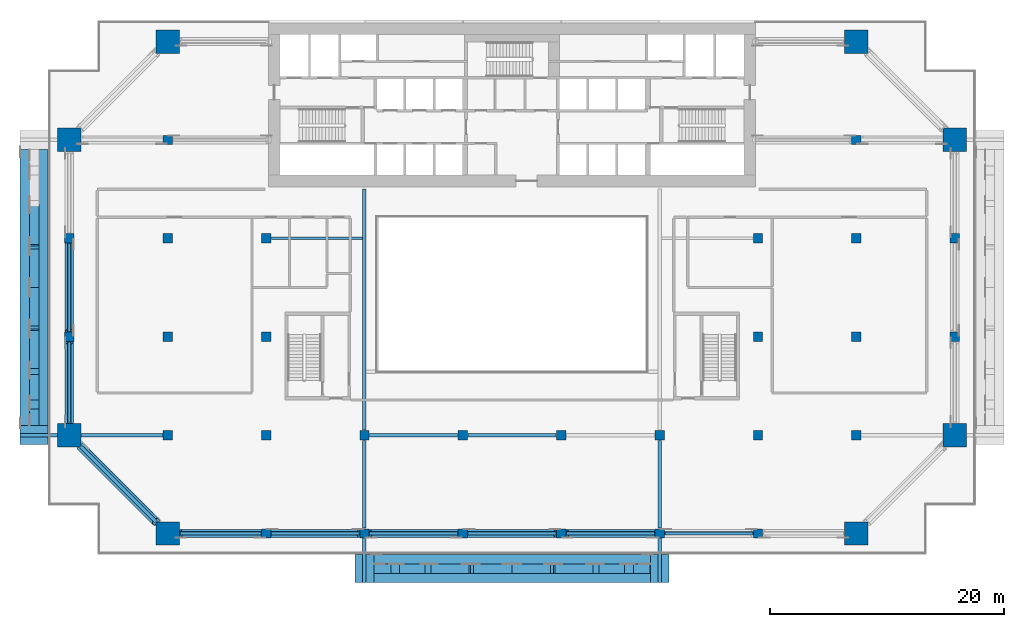
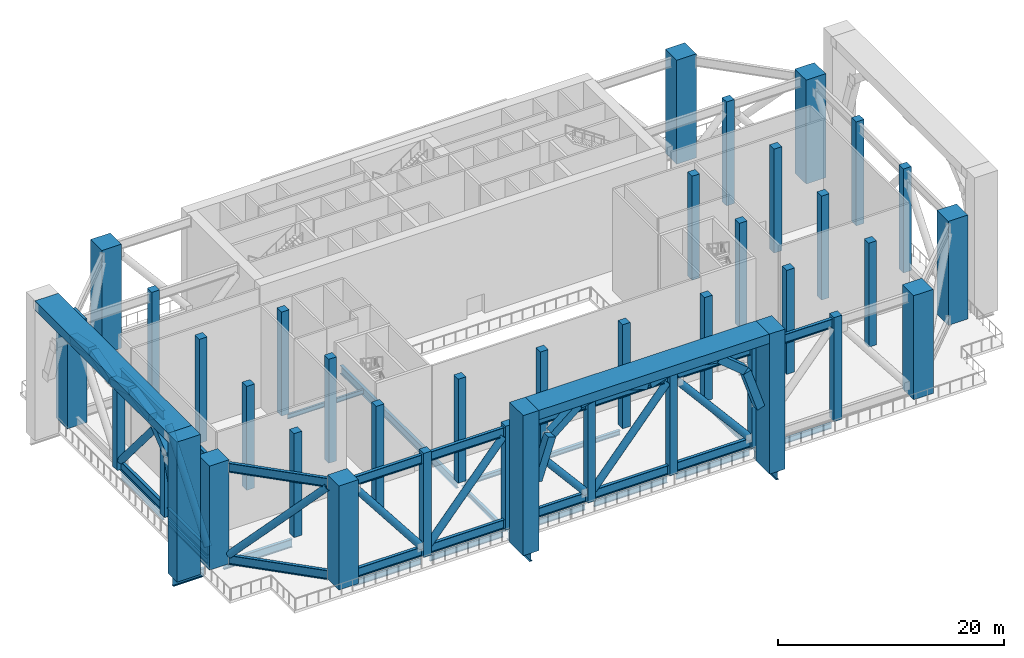
# One storey, part 1 of 19: 44 members, 36 columns, 18 beams.
"""IFC4 building model written with IfcOpenShell, lengths in metres."""

from ifc_helpers import new_model, si_unit, direction, frame, origin, origin_2d, place, context, subcontext, project, spatial, rectangle, hollow_circle, i_section, extrude, material, material_profile, profile_set, type_object, element, save


model = new_model("IFC4")

# Units and contexts
model_context = context("Model", 3, precision=1e-05, world=origin(), true_north=direction((0.0, 1.0)))
body_context = subcontext(model_context, "Body", "Model", "MODEL_VIEW")
ifc_project = project(units=[si_unit("LENGTHUNIT", "METRE"), si_unit("AREAUNIT", "SQUARE_METRE"), si_unit("VOLUMEUNIT", "CUBIC_METRE"), si_unit("PLANEANGLEUNIT", "RADIAN"), si_unit("MASSUNIT", "GRAM", prefix="KILO")], contexts=[model_context])

# Site, building, storey
site_placement = place(None, origin())
site = spatial("IfcSite", under=ifc_project, at=site_placement, CompositionType="ELEMENT")
building_placement = place(site_placement, origin())
building = spatial("IfcBuilding", under=site, at=building_placement, Name="Saffron Gate Tower", CompositionType="ELEMENT")
storey_placement = place(building_placement, frame((0.0, 0.0, 84.0)))
storey = spatial("IfcBuildingStorey", under=building, at=storey_placement, Name="L20", CompositionType="ELEMENT", Elevation=84.0)

# Columns
ifc_material_1 = material(Name="Concrete C60", Category="concrete")
ifc_material_profile_1 = material_profile(ifc_material_1, rectangle(XDim=0.800048828125, YDim=0.800048828125, at=origin_2d()))
ifc_profile_set_1 = profile_set([ifc_material_profile_1], Name="Concrete C60")
column_type_1 = type_object("IfcColumnType", Name="C5 RC 800x800 CONCRETE C60", PredefinedType="COLUMN", material=ifc_profile_set_1)
for number, where, z_axis, x_axis, name in (
    (1, (49.800048828125, 48.60009765625, 0.0), (0.0, 0.0, 1.0), (1.0, 0.0, 0.0), "C5 COLUMN X1-C"),
    (2, (49.800048828125, 57.0, 0.0), (0.0, 0.0, 1.0), (1.0, 0.0, 0.0), "C5 COLUMN X1-D"),
    (3, (58.199951171875, 40.199951171875, 0.0), (0.0, 0.0, 1.0), (1.0, 0.0, 0.0), "C5 COLUMN X2-B"),
    (4, (58.199951171875, 48.60009765625, 0.0), (0.0, 0.0, 1.0), (1.0, 0.0, 0.0), "C5 COLUMN X2-C"),
    (5, (58.199951171875, 57.0, 0.0), (0.0, 0.0, 1.0), (1.0, 0.0, 0.0), "C5 COLUMN X2-D"),
    (6, (58.199951171875, 65.39990234375, 0.0), (0.0, 0.0, 1.0), (1.0, 0.0, 0.0), "C5 COLUMN X2-E"),
    (7, (66.60009765625, 31.800048828125, 0.0), (0.0, 0.0, 1.0), (1.0, 0.0, 0.0), "C5 COLUMN X3-A"),
    (8, (66.60009765625, 40.199951171875, 0.0), (0.0, 0.0, 1.0), (1.0, 0.0, 0.0), "C5 COLUMN X3-B"),
    (9, (66.60009765625, 48.60009765625, 0.0), (0.0, 0.0, 1.0), (1.0, 0.0, 0.0), "C5 COLUMN X3-C"),
    (10, (66.60009765625, 57.0, 0.0), (0.0, 0.0, 1.0), (1.0, 0.0, 0.0), "C5 COLUMN X3-D"),
    (11, (75.0, 31.800048828125, 0.0), (0.0, 0.0, 1.0), (1.0, 0.0, 0.0), "C5 COLUMN X4-A"),
    (12, (75.0, 40.199951171875, 0.0), (0.0, 0.0, 1.0), (1.0, 0.0, 0.0), "C5 COLUMN X4-B"),
    (13, (83.39990234375, 31.800048828125, 0.0), (0.0, 0.0, 1.0), (1.0, 0.0, 0.0), "C5 COLUMN X5-A"),
    (14, (83.39990234375, 40.199951171875, 0.0), (0.0, 0.0, 1.0), (1.0, 0.0, 0.0), "C5 COLUMN X5-B"),
    (15, (91.800048828125, 31.800048828125, 0.0), (0.0, 0.0, 1.0), (1.0, 0.0, 0.0), "C5 COLUMN X6-A"),
    (16, (91.800048828125, 40.199951171875, 0.0), (0.0, 0.0, 1.0), (1.0, 0.0, 0.0), "C5 COLUMN X6-B"),
    (17, (100.199951171875, 31.800048828125, 0.0), (0.0, 0.0, 1.0), (1.0, 0.0, 0.0), "C5 COLUMN X7-A"),
    (18, (100.199951171875, 40.199951171875, 0.0), (0.0, 0.0, 1.0), (1.0, 0.0, 0.0), "C5 COLUMN X7-B"),
    (19, (108.60009765625, 31.800048828125, 0.0), (0.0, 0.0, 1.0), (1.0, 0.0, 0.0), "C5 COLUMN X8-A"),
    (20, (108.60009765625, 40.199951171875, 0.0), (0.0, 0.0, 1.0), (1.0, 0.0, 0.0), "C5 COLUMN X8-B"),
    (21, (108.60009765625, 48.60009765625, 0.0), (0.0, 0.0, 1.0), (1.0, 0.0, 0.0), "C5 COLUMN X8-C"),
    (22, (108.60009765625, 57.0, 0.0), (0.0, 0.0, 1.0), (1.0, 0.0, 0.0), "C5 COLUMN X8-D"),
    (23, (117.0, 40.199951171875, 0.0), (0.0, 0.0, 1.0), (1.0, 0.0, 0.0), "C5 COLUMN X9-B"),
    (24, (117.0, 48.60009765625, 0.0), (0.0, 0.0, 1.0), (1.0, 0.0, 0.0), "C5 COLUMN X9-C"),
    (25, (117.0, 57.0, 0.0), (0.0, 0.0, 1.0), (1.0, 0.0, 0.0), "C5 COLUMN X9-D"),
    (26, (117.0, 65.39990234375, 0.0), (0.0, 0.0, 1.0), (1.0, 0.0, 0.0), "C5 COLUMN X9-E"),
    (27, (125.39990234375, 48.60009765625, 0.0), (0.0, 0.0, 1.0), (1.0, 0.0, 0.0), "C5 COLUMN X10-C"),
    (28, (125.39990234375, 57.0, 0.0), (0.0, 0.0, 1.0), (1.0, 0.0, 0.0), "C5 COLUMN X10-D"),
):
    element("IfcColumn", number, at=place(storey_placement, frame(where, z_axis=z_axis, x_axis=x_axis)), inside=storey, type_object=column_type_1, Name=name, PredefinedType="COLUMN", context=body_context, shape_type="SweptSolid", body=[
        extrude(rectangle(XDim=0.800048828125, YDim=0.800048828125, at=origin_2d()), origin(), (0.0, 0.0, 1.0), 11.25),
    ])
ifc_material_2 = material(Name="Concrete C80", Category="concrete")
ifc_material_profile_2 = material_profile(ifc_material_2, rectangle(XDim=2.0, YDim=2.0, at=origin_2d()))
ifc_profile_set_2 = profile_set([ifc_material_profile_2], Name="Concrete C80")
column_type_2 = type_object("IfcColumnType", Name="MC3 RC 2000x2000 CONCRETE C80", PredefinedType="COLUMN", material=ifc_profile_set_2)
for number, where, z_axis, x_axis, name in (
    (29, (49.800048828125, 40.199951171875, 0.0), (0.0, 0.0, 1.0), (1.0, 0.0, 0.0), "MC3 MEGA COLUMN X1-B"),
    (30, (49.800048828125, 65.39990234375, 0.0), (0.0, 0.0, 1.0), (1.0, 0.0, 0.0), "MC3 MEGA COLUMN X1-E"),
    (31, (58.199951171875, 31.800048828125, 0.0), (0.0, 0.0, 1.0), (1.0, 0.0, 0.0), "MC3 MEGA COLUMN X2-A"),
    (32, (58.199951171875, 73.800048828125, 0.0), (0.0, 0.0, 1.0), (1.0, 0.0, 0.0), "MC3 MEGA COLUMN X2-F"),
    (33, (117.0, 31.800048828125, 0.0), (0.0, 0.0, 1.0), (1.0, 0.0, 0.0), "MC3 MEGA COLUMN X9-A"),
    (34, (117.0, 73.800048828125, 0.0), (0.0, 0.0, 1.0), (1.0, 0.0, 0.0), "MC3 MEGA COLUMN X9-F"),
    (35, (125.39990234375, 40.199951171875, 0.0), (0.0, 0.0, 1.0), (1.0, 0.0, 0.0), "MC3 MEGA COLUMN X10-B"),
    (36, (125.39990234375, 65.39990234375, 0.0), (0.0, 0.0, 1.0), (1.0, 0.0, 0.0), "MC3 MEGA COLUMN X10-E"),
):
    element("IfcColumn", number, at=place(storey_placement, frame(where, z_axis=z_axis, x_axis=x_axis)), inside=storey, type_object=column_type_2, Name=name, PredefinedType="COLUMN", context=body_context, shape_type="SweptSolid", body=[
        extrude(rectangle(XDim=2.0, YDim=2.0, at=origin_2d()), origin(), (0.0, 0.0, 1.0), 11.25),
    ])

# Beams
ifc_material_3 = material(Name="Structural steel S355", Category="steel")
ifc_material_profile_3 = material_profile(ifc_material_3, i_section(OverallWidth=0.199951171875, OverallDepth=0.5, WebThickness=0.01025390625, FlangeThickness=0.01611328125, FilletRadius=0.02099609375, at=origin_2d()))
ifc_profile_set_3 = profile_set([ifc_material_profile_3], Name="Structural steel S355")
beam_type_1 = type_object("IfcBeamType", Name="B10 IPE 500", PredefinedType="BEAM", material=ifc_profile_set_3)
beam_1_placement = place(storey_placement, frame((67.050048828125, 57.0, -0.550048828125), z_axis=(1.0, 0.0, 0.0), x_axis=(0.0, 1.0, 0.0)))
element("IfcBeam", 37, at=beam_1_placement, inside=storey, type_object=beam_type_1, Name="B10 CORE TIE BEAM", PredefinedType="BEAM", context=body_context, shape_type="SweptSolid", body=[
    extrude(i_section(OverallWidth=0.199951171875, OverallDepth=0.5, WebThickness=0.01025390625, FlangeThickness=0.01611328125, FilletRadius=0.02099609375, at=origin_2d()), origin(), (0.0, 0.0, 1.0), 7.800048828125),
])
ifc_material_profile_4 = material_profile(ifc_material_3, i_section(OverallWidth=0.219970703125, OverallDepth=0.60009765625, WebThickness=0.011962890625, FlangeThickness=0.01904296875, FilletRadius=0.02392578125, at=origin_2d()))
ifc_profile_set_4 = profile_set([ifc_material_profile_4], Name="Structural steel S355")
beam_type_2 = type_object("IfcBeamType", Name="B16 IPE 600", PredefinedType="SPANDREL", material=ifc_profile_set_4)
beam_2_placement = place(storey_placement, frame((49.800048828125, 41.300048828125, -0.60009765625), z_axis=(0.0, 1.0, 0.0), x_axis=(-1.0, 0.0, 0.0)))
element("IfcBeam", 38, at=beam_2_placement, inside=storey, type_object=beam_type_2, Name="B16 SPANDREL BEAM", PredefinedType="SPANDREL", context=body_context, shape_type="SweptSolid", body=[
    extrude(i_section(OverallWidth=0.219970703125, OverallDepth=0.60009765625, WebThickness=0.011962890625, FlangeThickness=0.01904296875, FilletRadius=0.02392578125, at=origin_2d()), origin(), (0.0, 0.0, 1.0), 6.849853515625),
])
beam_3_placement = place(storey_placement, frame((49.800048828125, 49.050048828125, -0.60009765625), z_axis=(0.0, 1.0, 0.0), x_axis=(-1.0, 0.0, 0.0)))
element("IfcBeam", 39, at=beam_3_placement, inside=storey, type_object=beam_type_2, Name="B16 SPANDREL BEAM", PredefinedType="SPANDREL", context=body_context, shape_type="SweptSolid", body=[
    extrude(i_section(OverallWidth=0.219970703125, OverallDepth=0.60009765625, WebThickness=0.011962890625, FlangeThickness=0.01904296875, FilletRadius=0.02392578125, at=origin_2d()), origin(), (0.0, 0.0, 1.0), 7.5),
])
beam_4_placement = place(storey_placement, frame((59.300048828125, 31.800048828125, -0.60009765625), z_axis=(1.0, 0.0, 0.0), x_axis=(0.0, 1.0, 0.0)))
element("IfcBeam", 40, at=beam_4_placement, inside=storey, type_object=beam_type_2, Name="B16 SPANDREL BEAM", PredefinedType="SPANDREL", context=body_context, shape_type="SweptSolid", body=[
    extrude(i_section(OverallWidth=0.219970703125, OverallDepth=0.60009765625, WebThickness=0.011962890625, FlangeThickness=0.01904296875, FilletRadius=0.02392578125, at=origin_2d()), origin(), (0.0, 0.0, 1.0), 6.849853515625),
])
for number, where, z_axis, x_axis, name in (
    (41, (67.050048828125, 31.800048828125, -0.60009765625), (1.0, 0.0, 0.0), (0.0, 1.0, 0.0), "B16 SPANDREL BEAM"),
    (42, (75.449951171875, 31.800048828125, -0.60009765625), (1.0, 0.0, 0.0), (0.0, 1.0, 0.0), "B16 SPANDREL BEAM"),
    (43, (83.85009765625, 31.800048828125, -0.60009765625), (1.0, 0.0, 0.0), (0.0, 1.0, 0.0), "B16 SPANDREL BEAM"),
    (44, (92.25, 31.800048828125, -0.60009765625), (1.0, 0.0, 0.0), (0.0, 1.0, 0.0), "B16 SPANDREL BEAM"),
    (45, (100.64990234375, 31.800048828125, -0.60009765625), (1.0, 0.0, 0.0), (0.0, 1.0, 0.0), "B16 SPANDREL BEAM"),
):
    element("IfcBeam", number, at=place(storey_placement, frame(where, z_axis=z_axis, x_axis=x_axis)), inside=storey, type_object=beam_type_2, Name=name, PredefinedType="SPANDREL", context=body_context, shape_type="SweptSolid", body=[
        extrude(i_section(OverallWidth=0.219970703125, OverallDepth=0.60009765625, WebThickness=0.011962890625, FlangeThickness=0.01904296875, FilletRadius=0.02392578125, at=origin_2d()), origin(), (0.0, 0.0, 1.0), 7.5),
    ])
ifc_material_profile_5 = material_profile(ifc_material_3, i_section(OverallWidth=0.300048828125, OverallDepth=0.889892578125, WebThickness=0.01611328125, FlangeThickness=0.030029296875, FilletRadius=0.030029296875, at=origin_2d()))
ifc_profile_set_5 = profile_set([ifc_material_profile_5], Name="Structural steel S355")
beam_type_3 = type_object("IfcBeamType", Name="B19 HEA 900", PredefinedType="BEAM", material=ifc_profile_set_5)
beam_5_placement = place(storey_placement, frame((75.0, 40.64990234375, -0.7451171875), z_axis=(0.0, 1.0, 0.0), x_axis=(-1.0, 0.0, 0.0)))
element("IfcBeam", 46, at=beam_5_placement, inside=storey, type_object=beam_type_3, Name="B19 ATRIUM GIRDER", PredefinedType="BEAM", context=body_context, shape_type="SweptSolid", body=[
    extrude(i_section(OverallWidth=0.300048828125, OverallDepth=0.889892578125, WebThickness=0.01611328125, FlangeThickness=0.030029296875, FilletRadius=0.030029296875, at=origin_2d()), origin(), (0.0, 0.0, 1.0), 20.550048828125),
])
ifc_material_profile_6 = material_profile(ifc_material_3, i_section(OverallWidth=0.300048828125, OverallDepth=0.489990234375, WebThickness=0.011962890625, FlangeThickness=0.02294921875, FilletRadius=0.027099609375, at=origin_2d()))
ifc_profile_set_6 = profile_set([ifc_material_profile_6], Name="Structural steel S355")
beam_type_4 = type_object("IfcBeamType", Name="B8 HEA 500", PredefinedType="BEAM", material=ifc_profile_set_6)
for number, where, z_axis, x_axis, name in (
    (47, (75.0, 32.25, -0.544921875), (0.0, 1.0, 0.0), (-1.0, 0.0, 0.0), "B8 FLOOR GIRDER"),
    (48, (100.199951171875, 32.25, -0.544921875), (0.0, 1.0, 0.0), (-1.0, 0.0, 0.0), "B8 FLOOR GIRDER"),
    (49, (75.449951171875, 40.199951171875, -0.544921875), (1.0, 0.0, 0.0), (0.0, 1.0, 0.0), "B8 FLOOR GIRDER"),
    (50, (83.85009765625, 40.199951171875, -0.544921875), (1.0, 0.0, 0.0), (0.0, 1.0, 0.0), "B8 FLOOR GIRDER"),
):
    element("IfcBeam", number, at=place(storey_placement, frame(where, z_axis=z_axis, x_axis=x_axis)), inside=storey, type_object=beam_type_4, Name=name, PredefinedType="BEAM", context=body_context, shape_type="SweptSolid", body=[
        extrude(i_section(OverallWidth=0.300048828125, OverallDepth=0.489990234375, WebThickness=0.011962890625, FlangeThickness=0.02294921875, FilletRadius=0.027099609375, at=origin_2d()), origin(), (0.0, 0.0, 1.0), 7.5),
    ])

# Members
ifc_material_profile_7 = material_profile(ifc_material_3, i_section(OverallWidth=0.300048828125, OverallDepth=1.0, WebThickness=0.01904296875, FlangeThickness=0.035888671875, FilletRadius=0.030029296875, at=origin_2d()))
ifc_profile_set_7 = profile_set([ifc_material_profile_7], Name="Structural steel S355")
member_type_1 = type_object("IfcMemberType", Name="BT4 HEB 1000", PredefinedType="CHORD", material=ifc_profile_set_7)
for number, where, z_axis, x_axis, name in (
    (51, (49.800048828125, 41.199951171875, 10.469970703125), (0.0, 1.0, 0.0), (-1.0, 0.0, 0.0), "BT4 BELT TRUSS TOP CHORD"),
    (52, (49.800048828125, 41.199951171875, 0.5), (0.0, 1.0, 0.0), (-1.0, 0.0, 0.0), "BT4 BELT TRUSS BOTTOM CHORD"),
):
    element("IfcMember", number, at=place(storey_placement, frame(where, z_axis=z_axis, x_axis=x_axis)), inside=storey, type_object=member_type_1, Name=name, PredefinedType="CHORD", context=body_context, shape_type="SweptSolid", body=[
        extrude(i_section(OverallWidth=0.300048828125, OverallDepth=1.0, WebThickness=0.01904296875, FlangeThickness=0.035888671875, FilletRadius=0.030029296875, at=origin_2d()), origin(), (0.0, 0.0, 1.0), 7.0),
    ])
for number, where, z_axis, x_axis, name in (
    (53, (49.800048828125, 49.0, 10.469970703125), (0.0, 1.0, 0.0), (-1.0, 0.0, 0.0), "BT4 BELT TRUSS TOP CHORD"),
    (54, (49.800048828125, 49.0, 0.5), (0.0, 1.0, 0.0), (-1.0, 0.0, 0.0), "BT4 BELT TRUSS BOTTOM CHORD"),
):
    element("IfcMember", number, at=place(storey_placement, frame(where, z_axis=z_axis, x_axis=x_axis)), inside=storey, type_object=member_type_1, Name=name, PredefinedType="CHORD", context=body_context, shape_type="SweptSolid", body=[
        extrude(i_section(OverallWidth=0.300048828125, OverallDepth=1.0, WebThickness=0.01904296875, FlangeThickness=0.035888671875, FilletRadius=0.030029296875, at=origin_2d()), origin(), (0.0, 0.0, 1.0), 7.60009765625),
    ])
for number, where, z_axis, x_axis, name in (
    (55, (59.199951171875, 31.800048828125, 10.469970703125), (1.0, 0.0, 0.0), (0.0, 1.0, 0.0), "BT4 BELT TRUSS TOP CHORD"),
    (56, (59.199951171875, 31.800048828125, 0.5), (1.0, 0.0, 0.0), (0.0, 1.0, 0.0), "BT4 BELT TRUSS BOTTOM CHORD"),
):
    element("IfcMember", number, at=place(storey_placement, frame(where, z_axis=z_axis, x_axis=x_axis)), inside=storey, type_object=member_type_1, Name=name, PredefinedType="CHORD", context=body_context, shape_type="SweptSolid", body=[
        extrude(i_section(OverallWidth=0.300048828125, OverallDepth=1.0, WebThickness=0.01904296875, FlangeThickness=0.035888671875, FilletRadius=0.030029296875, at=origin_2d()), origin(), (0.0, 0.0, 1.0), 7.0),
    ])
for number, where, z_axis, x_axis, name in (
    (57, (67.0, 31.800048828125, 10.469970703125), (1.0, 0.0, 0.0), (0.0, 1.0, 0.0), "BT4 BELT TRUSS TOP CHORD"),
    (58, (67.0, 31.800048828125, 0.5), (1.0, 0.0, 0.0), (0.0, 1.0, 0.0), "BT4 BELT TRUSS BOTTOM CHORD"),
    (59, (75.39990234375, 31.800048828125, 10.469970703125), (1.0, 0.0, 0.0), (0.0, 1.0, 0.0), "BT4 BELT TRUSS TOP CHORD"),
    (60, (75.39990234375, 31.800048828125, 0.5), (1.0, 0.0, 0.0), (0.0, 1.0, 0.0), "BT4 BELT TRUSS BOTTOM CHORD"),
):
    element("IfcMember", number, at=place(storey_placement, frame(where, z_axis=z_axis, x_axis=x_axis)), inside=storey, type_object=member_type_1, Name=name, PredefinedType="CHORD", context=body_context, shape_type="SweptSolid", body=[
        extrude(i_section(OverallWidth=0.300048828125, OverallDepth=1.0, WebThickness=0.01904296875, FlangeThickness=0.035888671875, FilletRadius=0.030029296875, at=origin_2d()), origin(), (0.0, 0.0, 1.0), 7.60009765625),
    ])
for number, where, z_axis, x_axis, name in (
    (61, (83.800048828125, 31.800048828125, 10.469970703125), (1.0, 0.0, 0.0), (0.0, 1.0, 0.0), "BT4 BELT TRUSS TOP CHORD"),
    (62, (83.800048828125, 31.800048828125, 0.5), (1.0, 0.0, 0.0), (0.0, 1.0, 0.0), "BT4 BELT TRUSS BOTTOM CHORD"),
):
    element("IfcMember", number, at=place(storey_placement, frame(where, z_axis=z_axis, x_axis=x_axis)), inside=storey, type_object=member_type_1, Name=name, PredefinedType="CHORD", context=body_context, shape_type="SweptSolid", body=[
        extrude(i_section(OverallWidth=0.300048828125, OverallDepth=1.0, WebThickness=0.01904296875, FlangeThickness=0.035888671875, FilletRadius=0.030029296875, at=origin_2d()), origin(), (0.0, 0.0, 1.0), 7.599853515625),
    ])
for number, where, z_axis, x_axis, name in (
    (63, (92.199951171875, 31.800048828125, 10.469970703125), (1.0, 0.0, 0.0), (0.0, 1.0, 0.0), "BT4 BELT TRUSS TOP CHORD"),
    (64, (92.199951171875, 31.800048828125, 0.5), (1.0, 0.0, 0.0), (0.0, 1.0, 0.0), "BT4 BELT TRUSS BOTTOM CHORD"),
):
    element("IfcMember", number, at=place(storey_placement, frame(where, z_axis=z_axis, x_axis=x_axis)), inside=storey, type_object=member_type_1, Name=name, PredefinedType="CHORD", context=body_context, shape_type="SweptSolid", body=[
        extrude(i_section(OverallWidth=0.300048828125, OverallDepth=1.0, WebThickness=0.01904296875, FlangeThickness=0.035888671875, FilletRadius=0.030029296875, at=origin_2d()), origin(), (0.0, 0.0, 1.0), 7.60009765625),
    ])
member_1_placement = place(storey_placement, frame((100.60009765625, 31.800048828125, 10.469970703125), z_axis=(1.0, 0.0, 0.0), x_axis=(0.0, 1.0, 0.0)))
element("IfcMember", 65, at=member_1_placement, inside=storey, type_object=member_type_1, Name="BT4 BELT TRUSS TOP CHORD", PredefinedType="CHORD", context=body_context, shape_type="SweptSolid", body=[
    extrude(i_section(OverallWidth=0.300048828125, OverallDepth=1.0, WebThickness=0.01904296875, FlangeThickness=0.035888671875, FilletRadius=0.030029296875, at=origin_2d()), origin(), (0.0, 0.0, 1.0), 7.599853515625),
])
for number, where, z_axis, x_axis, name in (
    (66, (57.199951171875, 32.800048828125, 10.469970703125), (-0.707106781187, 0.707106781187, 0.0), (-0.707106781187, -0.707106781187, 0.0), "BT4 BELT TRUSS TOP CHORD"),
    (67, (57.199951171875, 32.800048828125, 0.5), (-0.707106781187, 0.707106781187, 0.0), (-0.707106781187, -0.707106781187, 0.0), "BT4 BELT TRUSS BOTTOM CHORD"),
):
    element("IfcMember", number, at=place(storey_placement, frame(where, z_axis=z_axis, x_axis=x_axis)), inside=storey, type_object=member_type_1, Name=name, PredefinedType="CHORD", context=body_context, shape_type="SweptSolid", body=[
        extrude(i_section(OverallWidth=0.300048828125, OverallDepth=1.0, WebThickness=0.01904296875, FlangeThickness=0.035888671875, FilletRadius=0.030029296875, at=origin_2d()), origin(), (0.0, 0.0, 1.0), 9.05078125),
    ])
ifc_material_profile_8 = material_profile(ifc_material_3, hollow_circle(Radius=0.35546875, WallThickness=0.02490234375, at=origin_2d()))
ifc_profile_set_8 = profile_set([ifc_material_profile_8], Name="Structural steel S355")
member_type_2 = type_object("IfcMemberType", Name="BT7 CHS 711x25", PredefinedType="BRACE", material=ifc_profile_set_8)
member_2_placement = place(storey_placement, frame((49.800048828125, 41.199951171875, 1.0), z_axis=(0.0, 0.615218817549, 0.788356395632), x_axis=(-1.0, 0.0, 0.0)))
element("IfcMember", 68, at=member_2_placement, inside=storey, type_object=member_type_2, Name="BT7 BELT TRUSS DIAGONAL", PredefinedType="BRACE", context=body_context, shape_type="SweptSolid", body=[
    extrude(hollow_circle(Radius=0.35546875, WallThickness=0.02490234375, at=origin_2d()), origin(), (0.0, 0.0, 1.0), 11.378173828125),
])
member_3_placement = place(storey_placement, frame((49.800048828125, 56.60009765625, 1.0), z_axis=(0.0, -0.646443850124, 0.762961564324), x_axis=(1.0, 0.0, 0.0)))
element("IfcMember", 69, at=member_3_placement, inside=storey, type_object=member_type_2, Name="BT7 BELT TRUSS DIAGONAL", PredefinedType="BRACE", context=body_context, shape_type="SweptSolid", body=[
    extrude(hollow_circle(Radius=0.35546875, WallThickness=0.02490234375, at=origin_2d()), origin(), (0.0, 0.0, 1.0), 11.7568359375),
])
member_4_placement = place(storey_placement, frame((66.199951171875, 31.800048828125, 1.0), z_axis=(-0.615218817549, 0.0, 0.788356395632), x_axis=(0.0, -1.0, 0.0)))
element("IfcMember", 70, at=member_4_placement, inside=storey, type_object=member_type_2, Name="BT7 BELT TRUSS DIAGONAL", PredefinedType="BRACE", context=body_context, shape_type="SweptSolid", body=[
    extrude(hollow_circle(Radius=0.35546875, WallThickness=0.02490234375, at=origin_2d()), origin(), (0.0, 0.0, 1.0), 11.378173828125),
])
for number, where, z_axis, x_axis, name in (
    (71, (67.0, 31.800048828125, 1.0), (0.646443850124, 0.0, 0.762961564324), (0.0, 1.0, 0.0), "BT7 BELT TRUSS DIAGONAL"),
    (72, (83.0, 31.800048828125, 1.0), (-0.646443850124, 0.0, 0.762961564324), (0.0, -1.0, 0.0), "BT7 BELT TRUSS DIAGONAL"),
):
    element("IfcMember", number, at=place(storey_placement, frame(where, z_axis=z_axis, x_axis=x_axis)), inside=storey, type_object=member_type_2, Name=name, PredefinedType="BRACE", context=body_context, shape_type="SweptSolid", body=[
        extrude(hollow_circle(Radius=0.35546875, WallThickness=0.02490234375, at=origin_2d()), origin(), (0.0, 0.0, 1.0), 11.7568359375),
    ])
member_5_placement = place(storey_placement, frame((83.800048828125, 31.800048828125, 1.0), z_axis=(0.64643176181, 0.0, 0.762971806375), x_axis=(0.0, 1.0, 0.0)))
element("IfcMember", 73, at=member_5_placement, inside=storey, type_object=member_type_2, Name="BT7 BELT TRUSS DIAGONAL", PredefinedType="BRACE", context=body_context, shape_type="SweptSolid", body=[
    extrude(hollow_circle(Radius=0.35546875, WallThickness=0.02490234375, at=origin_2d()), origin(), (0.0, 0.0, 1.0), 11.756591796875),
])
member_6_placement = place(storey_placement, frame((99.800048828125, 31.800048828125, 1.0), z_axis=(-0.646443850124, 0.0, 0.762961564324), x_axis=(0.0, -1.0, 0.0)))
element("IfcMember", 74, at=member_6_placement, inside=storey, type_object=member_type_2, Name="BT7 BELT TRUSS DIAGONAL", PredefinedType="BRACE", context=body_context, shape_type="SweptSolid", body=[
    extrude(hollow_circle(Radius=0.35546875, WallThickness=0.02490234375, at=origin_2d()), origin(), (0.0, 0.0, 1.0), 11.7568359375),
])
member_7_placement = place(storey_placement, frame((50.800048828125, 39.199951171875, 1.0), z_axis=(0.502238407254, -0.502238407254, 0.703926959675), x_axis=(0.707106781187, 0.707106781187, 0.0)))
element("IfcMember", 75, at=member_7_placement, inside=storey, type_object=member_type_2, Name="BT7 BELT TRUSS DIAGONAL", PredefinedType="BRACE", context=body_context, shape_type="SweptSolid", body=[
    extrude(hollow_circle(Radius=0.35546875, WallThickness=0.02490234375, at=origin_2d()), origin(), (0.0, 0.0, 1.0), 12.74267578125),
])
ifc_material_profile_9 = material_profile(ifc_material_1, rectangle(XDim=0.800048828125, YDim=0.800048828125, at=origin_2d()))
ifc_profile_set_9 = profile_set([ifc_material_profile_9], Name="Concrete C60")
member_type_3 = type_object("IfcMemberType", Name="PA1 RC 800x800", PredefinedType="BRACE", material=ifc_profile_set_9)
member_8_placement = place(storey_placement, frame((76.199951171875, 28.800048828125, 6.517578125), z_axis=(0.311866101482, 0.0, 0.950126062555), x_axis=(0.0, 1.0, 0.0)))
element("IfcMember", 76, at=member_8_placement, inside=storey, type_object=member_type_3, Name="PA1 PISHTAQ ARCH", PredefinedType="BRACE", context=body_context, shape_type="SweptSolid", body=[
    extrude(rectangle(XDim=0.800048828125, YDim=0.800048828125, at=origin_2d()), origin(), (0.0, 0.0, 1.0), 4.571044921875),
])
member_9_placement = place(storey_placement, frame((77.750732421875, 28.800048828125, 11.044189453125), z_axis=(0.771329894849, 0.0, 0.636435537436), x_axis=(0.0, 1.0, 0.0)))
element("IfcMember", 77, at=member_9_placement, inside=storey, type_object=member_type_3, Name="PA1 PISHTAQ ARCH", PredefinedType="BRACE", context=body_context, shape_type="SweptSolid", body=[
    extrude(rectangle(XDim=0.800048828125, YDim=0.800048828125, at=origin_2d()), origin(), (0.0, 0.0, 1.0), 3.453125),
])
member_10_placement = place(storey_placement, frame((80.590576171875, 28.800048828125, 13.32568359375), z_axis=(0.98073469826, 0.0, 0.195344443559), x_axis=(0.0, 1.0, 0.0)))
element("IfcMember", 78, at=member_10_placement, inside=storey, type_object=member_type_3, Name="PA1 PISHTAQ ARCH", PredefinedType="BRACE", context=body_context, shape_type="SweptSolid", body=[
    extrude(rectangle(XDim=0.800048828125, YDim=0.800048828125, at=origin_2d()), origin(), (0.0, 0.0, 1.0), 3.46826171875),
])
for number, where, z_axis, x_axis, name in (
    (79, (84.18701171875, 28.800048828125, 13.993408203125), (0.956318022742, 0.0, -0.292328307522), (0.0, 1.0, 0.0), "PA1 PISHTAQ ARCH"),
    (80, (87.716796875, 28.800048828125, 12.98583984375), (0.956318022742, 0.0, 0.292328307522), (0.0, 1.0, 0.0), "PA1 PISHTAQ ARCH"),
):
    element("IfcMember", number, at=place(storey_placement, frame(where, z_axis=z_axis, x_axis=x_axis)), inside=storey, type_object=member_type_3, Name=name, PredefinedType="BRACE", context=body_context, shape_type="SweptSolid", body=[
        extrude(rectangle(XDim=0.800048828125, YDim=0.800048828125, at=origin_2d()), origin(), (0.0, 0.0, 1.0), 3.44677734375),
    ])
member_11_placement = place(storey_placement, frame((91.2080078125, 28.800048828125, 14.003173828125), z_axis=(0.98073469826, 0.0, -0.195344443559), x_axis=(0.0, 1.0, 0.0)))
element("IfcMember", 81, at=member_11_placement, inside=storey, type_object=member_type_3, Name="PA1 PISHTAQ ARCH", PredefinedType="BRACE", context=body_context, shape_type="SweptSolid", body=[
    extrude(rectangle(XDim=0.800048828125, YDim=0.800048828125, at=origin_2d()), origin(), (0.0, 0.0, 1.0), 3.46826171875),
])
member_12_placement = place(storey_placement, frame((94.785888671875, 28.800048828125, 13.241943359375), z_axis=(0.771301255722, 0.0, -0.636470245119), x_axis=(0.0, 1.0, 0.0)))
element("IfcMember", 82, at=member_12_placement, inside=storey, type_object=member_type_3, Name="PA1 PISHTAQ ARCH", PredefinedType="BRACE", context=body_context, shape_type="SweptSolid", body=[
    extrude(rectangle(XDim=0.800048828125, YDim=0.800048828125, at=origin_2d()), origin(), (0.0, 0.0, 1.0), 3.453125),
])
member_13_placement = place(storey_placement, frame((97.57470703125, 28.800048828125, 10.860595703125), z_axis=(0.311817884168, 0.0, -0.950141887885), x_axis=(0.0, 1.0, 0.0)))
element("IfcMember", 83, at=member_13_placement, inside=storey, type_object=member_type_3, Name="PA1 PISHTAQ ARCH", PredefinedType="BRACE", context=body_context, shape_type="SweptSolid", body=[
    extrude(rectangle(XDim=0.800048828125, YDim=0.800048828125, at=origin_2d()), origin(), (0.0, 0.0, 1.0), 4.57080078125),
])
member_14_placement = place(storey_placement, frame((46.800048828125, 41.39990234375, 6.517578125), z_axis=(0.0, 0.311866101482, 0.950126062555), x_axis=(-1.0, 0.0, 0.0)))
element("IfcMember", 84, at=member_14_placement, inside=storey, type_object=member_type_3, Name="PA1 PISHTAQ ARCH", PredefinedType="BRACE", context=body_context, shape_type="SweptSolid", body=[
    extrude(rectangle(XDim=0.800048828125, YDim=0.800048828125, at=origin_2d()), origin(), (0.0, 0.0, 1.0), 4.571044921875),
])
member_15_placement = place(storey_placement, frame((46.800048828125, 42.95068359375, 11.044189453125), z_axis=(0.0, 0.771329894849, 0.636435537436), x_axis=(-1.0, 0.0, 0.0)))
element("IfcMember", 85, at=member_15_placement, inside=storey, type_object=member_type_3, Name="PA1 PISHTAQ ARCH", PredefinedType="BRACE", context=body_context, shape_type="SweptSolid", body=[
    extrude(rectangle(XDim=0.800048828125, YDim=0.800048828125, at=origin_2d()), origin(), (0.0, 0.0, 1.0), 3.453125),
])
member_16_placement = place(storey_placement, frame((46.800048828125, 45.79052734375, 13.32568359375), z_axis=(0.0, 0.98073469826, 0.195344443559), x_axis=(-1.0, 0.0, 0.0)))
element("IfcMember", 86, at=member_16_placement, inside=storey, type_object=member_type_3, Name="PA1 PISHTAQ ARCH", PredefinedType="BRACE", context=body_context, shape_type="SweptSolid", body=[
    extrude(rectangle(XDim=0.800048828125, YDim=0.800048828125, at=origin_2d()), origin(), (0.0, 0.0, 1.0), 3.46826171875),
])
for number, where, z_axis, x_axis, name in (
    (87, (46.800048828125, 49.38720703125, 13.993408203125), (0.0, 0.956311969023, -0.292348110826), (-1.0, 0.0, 0.0), "PA1 PISHTAQ ARCH"),
    (88, (46.800048828125, 52.9169921875, 12.98583984375), (0.0, 0.956311969023, 0.292348110826), (-1.0, 0.0, 0.0), "PA1 PISHTAQ ARCH"),
):
    element("IfcMember", number, at=place(storey_placement, frame(where, z_axis=z_axis, x_axis=x_axis)), inside=storey, type_object=member_type_3, Name=name, PredefinedType="BRACE", context=body_context, shape_type="SweptSolid", body=[
        extrude(rectangle(XDim=0.800048828125, YDim=0.800048828125, at=origin_2d()), origin(), (0.0, 0.0, 1.0), 3.446533203125),
    ])
member_17_placement = place(storey_placement, frame((46.800048828125, 56.407958984375, 14.003173828125), z_axis=(0.0, 0.98073469826, -0.195344443559), x_axis=(-1.0, 0.0, 0.0)))
element("IfcMember", 89, at=member_17_placement, inside=storey, type_object=member_type_3, Name="PA1 PISHTAQ ARCH", PredefinedType="BRACE", context=body_context, shape_type="SweptSolid", body=[
    extrude(rectangle(XDim=0.800048828125, YDim=0.800048828125, at=origin_2d()), origin(), (0.0, 0.0, 1.0), 3.46826171875),
])
ifc_material_profile_10 = material_profile(ifc_material_1, rectangle(XDim=2.39990234375, YDim=1.0, at=origin_2d()))
ifc_profile_set_10 = profile_set([ifc_material_profile_10], Name="Concrete C60")
member_type_4 = type_object("IfcMemberType", Name="PK1 RC 2400x1000", PredefinedType="BRACE", material=ifc_profile_set_10)
member_18_placement = place(storey_placement, frame((75.800048828125, 28.800048828125, 14.35009765625), z_axis=(1.0, 0.0, 0.0), x_axis=(0.0, 1.0, 0.0)))
element("IfcMember", 90, at=member_18_placement, inside=storey, type_object=member_type_4, Name="PK1 PISHTAQ CAP BEAM", PredefinedType="BRACE", context=body_context, shape_type="SweptSolid", body=[
    extrude(rectangle(XDim=2.39990234375, YDim=1.0, at=origin_2d()), origin(), (0.0, 0.0, 1.0), 23.599853515625),
])
member_19_placement = place(storey_placement, frame((46.800048828125, 41.0, 14.35009765625), z_axis=(0.0, 1.0, 0.0), x_axis=(-1.0, 0.0, 0.0)))
element("IfcMember", 91, at=member_19_placement, inside=storey, type_object=member_type_4, Name="PK1 PISHTAQ CAP BEAM", PredefinedType="BRACE", context=body_context, shape_type="SweptSolid", body=[
    extrude(rectangle(XDim=2.39990234375, YDim=1.0, at=origin_2d()), origin(), (0.0, 0.0, 1.0), 23.60009765625),
])
ifc_material_profile_11 = material_profile(ifc_material_1, rectangle(XDim=2.39990234375, YDim=1.60009765625, at=origin_2d()))
ifc_profile_set_11 = profile_set([ifc_material_profile_11], Name="Concrete C60")
member_type_5 = type_object("IfcMemberType", Name="PP1 RC 2400x1600", PredefinedType="POST", material=ifc_profile_set_11)
member_20_placement = place(storey_placement, frame((46.800048828125, 40.199951171875, -0.300048828125), z_axis=(0.0, 0.0, 1.0), x_axis=(1.0, 0.0, 0.0)))
element("IfcMember", 92, at=member_20_placement, inside=storey, type_object=member_type_5, Name="PP1 PISHTAQ PIER", PredefinedType="POST", context=body_context, shape_type="SweptSolid", body=[
    extrude(rectangle(XDim=2.39990234375, YDim=1.60009765625, at=origin_2d()), origin(), (0.0, 0.0, 1.0), 15.150146484375),
])
ifc_material_profile_12 = material_profile(ifc_material_1, rectangle(XDim=1.60009765625, YDim=2.39990234375, at=origin_2d()))
ifc_profile_set_12 = profile_set([ifc_material_profile_12], Name="Concrete C60")
member_type_6 = type_object("IfcMemberType", Name="PP2 RC 1600x2400", PredefinedType="POST", material=ifc_profile_set_12)
for number, where, z_axis, x_axis, name in (
    (93, (75.0, 28.800048828125, -0.300048828125), (0.0, 0.0, 1.0), (1.0, 0.0, 0.0), "PP2 PISHTAQ PIER"),
    (94, (100.199951171875, 28.800048828125, -0.300048828125), (0.0, 0.0, 1.0), (1.0, 0.0, 0.0), "PP2 PISHTAQ PIER"),
):
    element("IfcMember", number, at=place(storey_placement, frame(where, z_axis=z_axis, x_axis=x_axis)), inside=storey, type_object=member_type_6, Name=name, PredefinedType="POST", context=body_context, shape_type="SweptSolid", body=[
        extrude(rectangle(XDim=1.60009765625, YDim=2.39990234375, at=origin_2d()), origin(), (0.0, 0.0, 1.0), 15.150146484375),
    ])

# Beams
ifc_material_profile_13 = material_profile(ifc_material_3, i_section(OverallWidth=0.300048828125, OverallDepth=0.889892578125, WebThickness=0.01611328125, FlangeThickness=0.030029296875, FilletRadius=0.030029296875, at=origin_2d()))
ifc_profile_set_13 = profile_set([ifc_material_profile_13], Name="Structural steel S355")
beam_type_5 = type_object("IfcBeamType", Name="PQ1 HEA 900", PredefinedType="BEAM", material=ifc_profile_set_13)
for number, where, z_axis, x_axis, name in (
    (95, (75.0, 27.60009765625, -0.7451171875), (0.0, 1.0, 0.0), (-1.0, 0.0, 0.0), "PQ1 PISHTAQ PIER BEAM"),
    (96, (100.199951171875, 27.60009765625, -0.7451171875), (0.0, 1.0, 0.0), (-1.0, 0.0, 0.0), "PQ1 PISHTAQ PIER BEAM"),
):
    element("IfcBeam", number, at=place(storey_placement, frame(where, z_axis=z_axis, x_axis=x_axis)), inside=storey, type_object=beam_type_5, Name=name, PredefinedType="BEAM", context=body_context, shape_type="SweptSolid", body=[
        extrude(i_section(OverallWidth=0.300048828125, OverallDepth=0.889892578125, WebThickness=0.01611328125, FlangeThickness=0.030029296875, FilletRadius=0.030029296875, at=origin_2d()), origin(), (0.0, 0.0, 1.0), 4.08984375),
    ])
beam_6_placement = place(storey_placement, frame((45.60009765625, 40.199951171875, -0.7451171875), z_axis=(1.0, 0.0, 0.0), x_axis=(0.0, 1.0, 0.0)))
element("IfcBeam", 97, at=beam_6_placement, inside=storey, type_object=beam_type_5, Name="PQ1 PISHTAQ PIER BEAM", PredefinedType="BEAM", context=body_context, shape_type="SweptSolid", body=[
    extrude(i_section(OverallWidth=0.300048828125, OverallDepth=0.889892578125, WebThickness=0.01611328125, FlangeThickness=0.030029296875, FilletRadius=0.030029296875, at=origin_2d()), origin(), (0.0, 0.0, 1.0), 3.199951171875),
])
beam_7_placement = place(storey_placement, frame((50.800048828125, 40.199951171875, -0.7451171875), z_axis=(1.0, 0.0, 0.0), x_axis=(0.0, 1.0, 0.0)))
element("IfcBeam", 98, at=beam_7_placement, inside=storey, type_object=beam_type_5, Name="PQ1 PISHTAQ PIER BEAM", PredefinedType="BEAM", context=body_context, shape_type="SweptSolid", body=[
    extrude(i_section(OverallWidth=0.300048828125, OverallDepth=0.889892578125, WebThickness=0.01611328125, FlangeThickness=0.030029296875, FilletRadius=0.030029296875, at=origin_2d()), origin(), (0.0, 0.0, 1.0), 7.0),
])

save(model, "model.ifc")
